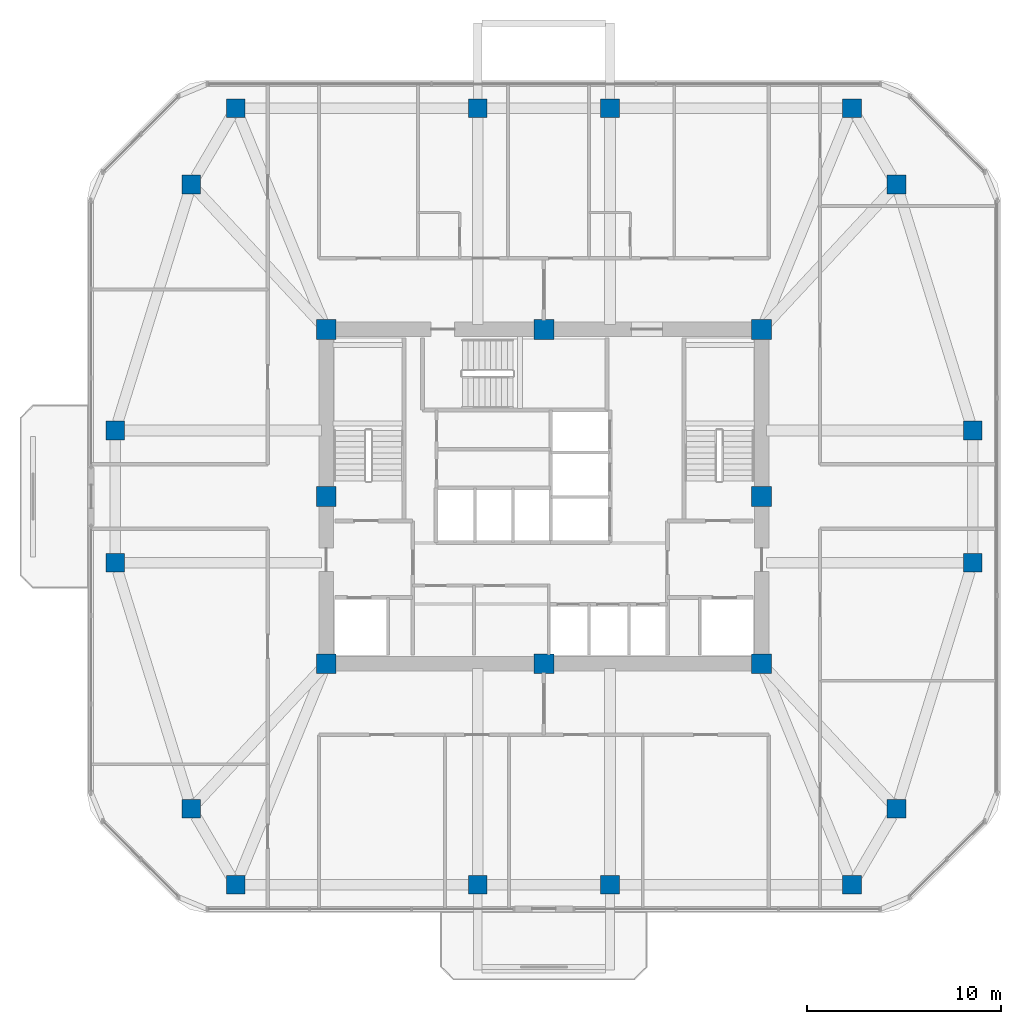
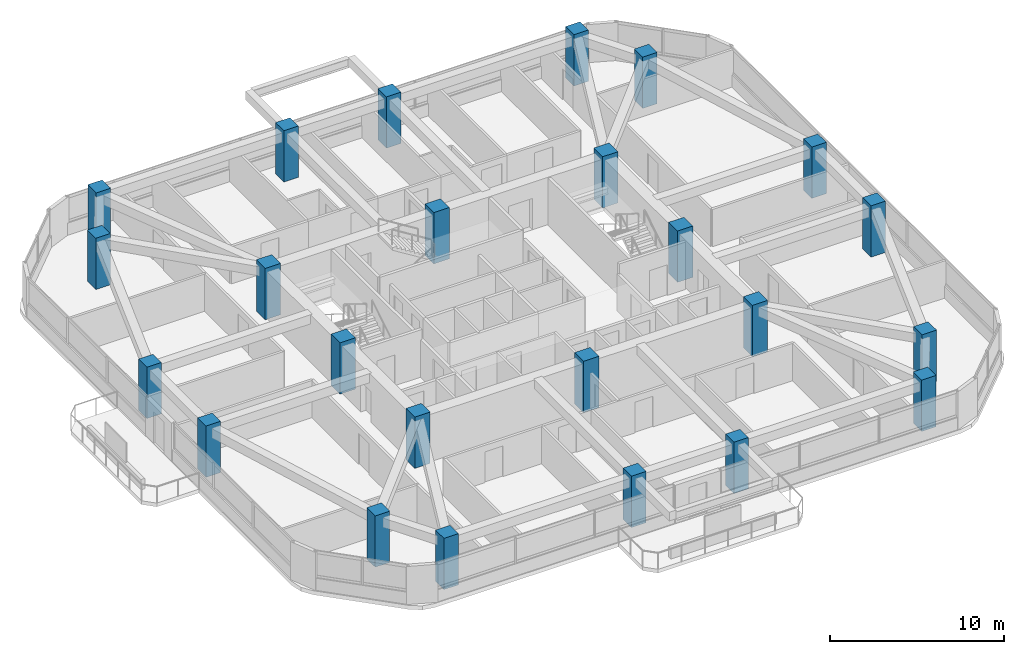
# One storey, part 1 of 12: 24 columns.
"""IFC4 building model written with IfcOpenShell, lengths in metres."""

import ifcopenshell
import ifcopenshell.guid

model = None  # the IFC model being written
_history = None  # IfcOwnerHistory: only IFC2X3 demands one
_inside = {}  # id of a spatial element -> (the spatial element, [elements in it])
_under = {}  # id of a project, library or spatial element -> (it, [spatial elements below it])
_declared = {}  # id of a project -> (the project, [libraries it declares])
_typed = {}  # id of a type object -> (the type object, [elements of that type])
_made_of = {}  # id of a material, layer set ... -> (it, [elements and type objects made of it])


def new_model(schema):
    """Start an empty IFC model of exactly this schema.

    Asked for "IFC4X3", IfcOpenShell would pick the latest addendum, in which some entities
    have other attributes; the version numbers below select the first issue.
    IFC2X3 requires an IfcOwnerHistory on every rooted entity: one is made here for all.
    """
    global model, _history
    if schema == "IFC4X3":
        model = ifcopenshell.file(schema_version=(4, 3, 0, 0))
    else:
        model = ifcopenshell.file(schema=schema)
    _inside.clear()
    _under.clear()
    _declared.clear()
    _typed.clear()
    _made_of.clear()
    _history = None
    if model.schema == "IFC2X3":
        org = make("IfcOrganization", Name="unknown")
        user = make(
            "IfcPersonAndOrganization",
            ThePerson=make("IfcPerson", FamilyName="unknown"),
            TheOrganization=org,
        )
        app = make(
            "IfcApplication",
            ApplicationDeveloper=org,
            Version="unknown",
            ApplicationFullName="unknown",
            ApplicationIdentifier="unknown",
        )
        _history = make(
            "IfcOwnerHistory",
            OwningUser=user,
            OwningApplication=app,
            ChangeAction="ADDED",
            CreationDate=0,
        )
    return model


def make(cls, **values):
    """One entity of the class cls with the attributes given. An attribute that is None is left unset."""
    return model.create_entity(
        cls, **{name: value for name, value in values.items() if value is not None}
    )


def rooted(cls, **values):
    """An entity with a GlobalId (a new one), such as an element, a storey or a relation."""
    return make(cls, GlobalId=ifcopenshell.guid.new(), OwnerHistory=_history, **values)


def si_unit(unit_type, name, prefix=None):
    """IfcSIUnit, for example si_unit("LENGTHUNIT", "METRE", prefix="MILLI")."""
    return make("IfcSIUnit", UnitType=unit_type, Prefix=prefix, Name=name)


def derived_unit(unit_type, elements):
    """IfcDerivedUnit: a product of units, each with its exponent."""
    return make(
        "IfcDerivedUnit",
        Elements=[
            make("IfcDerivedUnitElement", Unit=unit, Exponent=power)
            for unit, power in elements
        ],
        UnitType=unit_type,
    )


def assignment(units):
    """IfcUnitAssignment: the units of a project."""
    return None if units is None else make("IfcUnitAssignment", Units=units)


def point(xyz):
    """IfcCartesianPoint."""
    return None if xyz is None else make("IfcCartesianPoint", Coordinates=xyz)


def direction(xyz):
    """IfcDirection."""
    return None if xyz is None else make("IfcDirection", DirectionRatios=xyz)


def frame(location, z_axis=None, x_axis=None):
    """IfcAxis2Placement3D, a coordinate frame: its origin and axes. An axis left out is left unset."""
    return make(
        "IfcAxis2Placement3D",
        Location=point(location),
        Axis=direction(z_axis),
        RefDirection=direction(x_axis),
    )


def frame_2d(location, x_axis=None):
    """IfcAxis2Placement2D, a coordinate frame in the plane: its origin and x axis."""
    return make(
        "IfcAxis2Placement2D", Location=point(location), RefDirection=direction(x_axis)
    )


def origin():
    """The frame at (0, 0, 0) with its axes left unset."""
    return frame((0.0, 0.0, 0.0))


def origin_2d():
    """The frame at (0, 0) in the plane with its x axis left unset."""
    return frame_2d((0.0, 0.0))


def place(relative_to, where):
    """IfcLocalPlacement: puts the frame where relative to a parent placement (None: the world)."""
    return make(
        "IfcLocalPlacement", PlacementRelTo=relative_to, RelativePlacement=where
    )


def context(
    kind, dimensions, precision=None, world=None, true_north=None, identifier=None
):
    """IfcGeometricRepresentationContext, for example the 3D "Model" context."""
    return make(
        "IfcGeometricRepresentationContext",
        ContextIdentifier=identifier,
        ContextType=kind,
        CoordinateSpaceDimension=dimensions,
        Precision=precision,
        WorldCoordinateSystem=world,
        TrueNorth=true_north,
    )


def subcontext(parent, identifier, kind, view, scale=None):
    """IfcGeometricRepresentationSubContext, for example "Body" below "Model"."""
    return make(
        "IfcGeometricRepresentationSubContext",
        ContextIdentifier=identifier,
        ContextType=kind,
        ParentContext=parent,
        TargetScale=scale,
        TargetView=view,
    )


def project(units=None, contexts=None):
    """IfcProject with its units and contexts."""
    return rooted(
        "IfcProject",
        Name="project",
        RepresentationContexts=contexts,
        UnitsInContext=assignment(units),
    )


def spatial(cls, under=None, at=None, **own):
    """A site, building, storey or space (cls), placed at a placement, below another one or the project."""
    s = rooted(cls, ObjectPlacement=at, **own)
    if under is not None:
        _under.setdefault(under.id(), (under, []))[1].append(s)
    return s


def profile(cls, at=None, kind="AREA", **sizes):
    """A parametric profile (cls). Its sizes go by their IFC names, for example OverallWidth=200.0."""
    return make(cls, ProfileType=kind, Position=at, **sizes)


def rectangle(**sizes):
    """IfcRectangleProfileDef."""
    return profile("IfcRectangleProfileDef", **sizes)


def extrude(swept, where, along, depth):
    """IfcExtrudedAreaSolid: the profile swept, set in the frame where, extruded along a direction by depth."""
    return make(
        "IfcExtrudedAreaSolid",
        SweptArea=swept,
        Position=where,
        ExtrudedDirection=direction(along),
        Depth=depth,
    )


def shape(context_of_items, identifier, shape_type, items):
    """IfcShapeRepresentation: the items that make up one representation, for example the "Body"."""
    return make(
        "IfcShapeRepresentation",
        ContextOfItems=context_of_items,
        RepresentationIdentifier=identifier,
        RepresentationType=shape_type,
        Items=items,
    )


def material(Name=None, Category=None):
    """IfcMaterial."""
    return make("IfcMaterial", Name=Name, Category=Category)


def material_profile(
    of_material, cross_section, Name=None, Category=None, Priority=None
):
    """IfcMaterialProfile: a cross section and its material."""
    return make(
        "IfcMaterialProfile",
        Name=Name,
        Material=of_material,
        Profile=cross_section,
        Priority=Priority,
        Category=Category,
    )


def profile_set(profiles, Name=None, composite=None):
    """IfcMaterialProfileSet."""
    return make(
        "IfcMaterialProfileSet",
        Name=Name,
        MaterialProfiles=profiles,
        CompositeProfile=composite,
    )


def made_of(thing, what):
    """Note that an element or type object is made of a material, layer set ...; save() writes the relation."""
    if what is not None:
        _made_of.setdefault(what.id(), (what, []))[1].append(thing)
    return thing


def type_object(cls, material=None, **own):
    """A type object (cls), such as IfcWallType, which elements share."""
    return made_of(rooted(cls, **own), material)


def element(
    cls,
    number,
    at=None,
    inside=None,
    cuts=None,
    type_object=None,
    material=None,
    context=None,
    identifier="Body",
    shape_type=None,
    held_by="IfcProductDefinitionShape",
    body=None,
    shapes=None,
    **own,
):
    """One element of the class cls, such as IfcWall. Its Tag is "e" and its number.

    at: its placement. inside: the storey or other place that contains it. cuts: it is an
    opening in that element (IfcRelVoidsElement). A single representation is given by context,
    identifier, shape_type and body (its items); several are given by shapes. held_by: the class
    of the entity that holds the representations. save() writes the other relations.
    """
    e = rooted(cls, Tag="e%d" % number, ObjectPlacement=at, **own)
    if body is not None:
        shapes = [shape(context, identifier, shape_type, body)]
    if shapes is not None:
        e.Representation = make(held_by, Representations=shapes)
    if inside is not None:
        _inside.setdefault(inside.id(), (inside, []))[1].append(e)
    if cuts is not None:
        rooted(
            "IfcRelVoidsElement", RelatingBuildingElement=cuts, RelatedOpeningElement=e
        )
    if type_object is not None:
        _typed.setdefault(type_object.id(), (type_object, []))[1].append(e)
    return made_of(e, material)


def aggregate(whole, parts):
    """IfcRelAggregates: a whole, such as a stair, and the parts it consists of."""
    return rooted("IfcRelAggregates", RelatingObject=whole, RelatedObjects=parts)


def save(model, path):
    """Write the relations noted so far, then the file.

    IfcRelAggregates (storeys below a building ...), IfcRelContainedInSpatialStructure (elements
    in a storey), IfcRelDefinesByType, IfcRelAssociatesMaterial and IfcRelDeclares: one each for
    every whole, place, type object, material and project.
    """
    for whole, parts in _under.values():
        aggregate(whole, parts)
    for where, things in _inside.values():
        rooted(
            "IfcRelContainedInSpatialStructure",
            RelatedElements=things,
            RelatingStructure=where,
        )
    for kind, things in _typed.values():
        rooted("IfcRelDefinesByType", RelatedObjects=things, RelatingType=kind)
    for what, things in _made_of.values():
        rooted("IfcRelAssociatesMaterial", RelatedObjects=things, RelatingMaterial=what)
    for by, libraries in _declared.values():
        rooted("IfcRelDeclares", RelatingContext=by, RelatedDefinitions=libraries)
    model.write(path)


model = new_model("IFC4")

# Units and contexts
model_context = context("Model", 3, precision=1e-05, world=origin(), true_north=direction((0.0, 1.0)))
body_context = subcontext(model_context, "Body", "Model", "MODEL_VIEW")
ifc_project = project(units=[si_unit("LENGTHUNIT", "METRE"), si_unit("AREAUNIT", "SQUARE_METRE"), si_unit("VOLUMEUNIT", "CUBIC_METRE"), si_unit("PLANEANGLEUNIT", "RADIAN"), si_unit("MASSUNIT", "GRAM", prefix="KILO"), derived_unit("THERMALTRANSMITTANCEUNIT", [(si_unit("POWERUNIT", "WATT"), 1), (si_unit("LENGTHUNIT", "METRE"), -2), (si_unit("THERMODYNAMICTEMPERATUREUNIT", "KELVIN"), -1)])], contexts=[model_context])

# Site, building, storey
site_placement = place(None, origin())
site = spatial("IfcSite", under=ifc_project, at=site_placement, CompositionType="ELEMENT")
building_placement = place(site_placement, origin())
building = spatial("IfcBuilding", under=site, at=building_placement, Name="Koralith Skygarden Medical Center", CompositionType="ELEMENT")
storey_placement = place(building_placement, frame((0.0, 0.0, 134.820068359375)))
storey = spatial("IfcBuildingStorey", under=building, at=storey_placement, Name="L34", CompositionType="ELEMENT", Elevation=134.820068359375)

# Columns
ifc_material_1 = material(Name="Concrete C70/85", Category="concrete")
ifc_material_profile_1 = material_profile(ifc_material_1, rectangle(XDim=1.02001953125, YDim=1.02001953125, at=origin_2d()), Name="RC1020X1020")
ifc_profile_set_1 = profile_set([ifc_material_profile_1], Name="Concrete C70/85")
column_type_1 = type_object("IfcColumnType", Name="Core Mega-Column C70 RC1020", PredefinedType="COLUMN", material=ifc_profile_set_1)
for number, where, z_axis, x_axis, name in (
    (1, (25.800048828125, 17.300048828125, 0.0), (0.0, 0.0, 1.0), (1.0, 0.0, 0.0), "L34 Core Column CC-01"),
    (2, (37.0, 17.300048828125, 0.0), (0.0, 0.0, 1.0), (1.0, 0.0, 0.0), "L34 Core Column CC-02"),
    (3, (48.199951171875, 17.300048828125, 0.0), (0.0, 0.0, 1.0), (1.0, 0.0, 0.0), "L34 Core Column CC-03"),
    (4, (48.199951171875, 25.89990234375, 0.0), (0.0, 0.0, 1.0), (1.0, 0.0, 0.0), "L34 Core Column CC-04"),
    (5, (48.199951171875, 34.5, 0.0), (0.0, 0.0, 1.0), (1.0, 0.0, 0.0), "L34 Core Column CC-05"),
    (6, (37.0, 34.5, 0.0), (0.0, 0.0, 1.0), (1.0, 0.0, 0.0), "L34 Core Column CC-06"),
    (7, (25.800048828125, 34.5, 0.0), (0.0, 0.0, 1.0), (1.0, 0.0, 0.0), "L34 Core Column CC-07"),
    (8, (25.800048828125, 25.89990234375, 0.0), (0.0, 0.0, 1.0), (1.0, 0.0, 0.0), "L34 Core Column CC-08"),
):
    element("IfcColumn", number, at=place(storey_placement, frame(where, z_axis=z_axis, x_axis=x_axis)), inside=storey, type_object=column_type_1, Name=name, PredefinedType="COLUMN", context=body_context, shape_type="SweptSolid", body=[
        extrude(rectangle(XDim=1.02001953125, YDim=1.02001953125, at=origin_2d()), origin(), (0.0, 0.0, 1.0), 3.599853515625),
    ])
ifc_material_2 = material(Name="Concrete C55/67", Category="concrete")
ifc_material_profile_2 = material_profile(ifc_material_2, rectangle(XDim=0.9599609375, YDim=0.9599609375, at=origin_2d()), Name="RC960X960")
ifc_profile_set_2 = profile_set([ifc_material_profile_2], Name="Concrete C55/67")
column_type_2 = type_object("IfcColumnType", Name="Zone 3 Waist Mega-Column C55 RC960", PredefinedType="COLUMN", material=ifc_profile_set_2)
for number, where, z_axis, x_axis, name in (
    (9, (14.93603515625, 22.5, 0.0), (0.0, 0.0, 1.0), (1.0, 0.0, 0.0), "L34 Perimeter Mega-Column MC-01"),
    (10, (18.85595703125, 9.840087890625, 0.0), (0.0, 0.0, 1.0), (1.0, 0.0, 0.0), "L34 Perimeter Mega-Column MC-02"),
    (11, (21.14794921875, 5.919921875, 0.0), (0.0, 0.0, 1.0), (1.0, 0.0, 0.0), "L34 Perimeter Mega-Column MC-03"),
    (12, (33.60009765625, 5.919921875, 0.0), (0.0, 0.0, 1.0), (1.0, 0.0, 0.0), "L34 Perimeter Mega-Column MC-04"),
    (13, (40.39990234375, 5.919921875, 0.0), (0.0, 0.0, 1.0), (1.0, 0.0, 0.0), "L34 Perimeter Mega-Column MC-05"),
    (14, (52.85205078125, 5.919921875, 0.0), (0.0, 0.0, 1.0), (1.0, 0.0, 0.0), "L34 Perimeter Mega-Column MC-06"),
    (15, (55.14404296875, 9.840087890625, 0.0), (0.0, 0.0, 1.0), (1.0, 0.0, 0.0), "L34 Perimeter Mega-Column MC-07"),
    (16, (59.06396484375, 22.5, 0.0), (0.0, 0.0, 1.0), (1.0, 0.0, 0.0), "L34 Perimeter Mega-Column MC-08"),
    (17, (59.06396484375, 29.300048828125, 0.0), (0.0, 0.0, 1.0), (1.0, 0.0, 0.0), "L34 Perimeter Mega-Column MC-09"),
    (18, (55.14404296875, 41.9599609375, 0.0), (0.0, 0.0, 1.0), (1.0, 0.0, 0.0), "L34 Perimeter Mega-Column MC-10"),
    (19, (52.85205078125, 45.8798828125, 0.0), (0.0, 0.0, 1.0), (1.0, 0.0, 0.0), "L34 Perimeter Mega-Column MC-11"),
    (20, (40.39990234375, 45.8798828125, 0.0), (0.0, 0.0, 1.0), (1.0, 0.0, 0.0), "L34 Perimeter Mega-Column MC-12"),
    (21, (33.60009765625, 45.8798828125, 0.0), (0.0, 0.0, 1.0), (1.0, 0.0, 0.0), "L34 Perimeter Mega-Column MC-13"),
    (22, (21.14794921875, 45.8798828125, 0.0), (0.0, 0.0, 1.0), (1.0, 0.0, 0.0), "L34 Perimeter Mega-Column MC-14"),
    (23, (18.85595703125, 41.9599609375, 0.0), (0.0, 0.0, 1.0), (1.0, 0.0, 0.0), "L34 Perimeter Mega-Column MC-15"),
    (24, (14.93603515625, 29.300048828125, 0.0), (0.0, 0.0, 1.0), (1.0, 0.0, 0.0), "L34 Perimeter Mega-Column MC-16"),
):
    element("IfcColumn", number, at=place(storey_placement, frame(where, z_axis=z_axis, x_axis=x_axis)), inside=storey, type_object=column_type_2, Name=name, PredefinedType="COLUMN", context=body_context, shape_type="SweptSolid", body=[
        extrude(rectangle(XDim=0.9599609375, YDim=0.9599609375, at=origin_2d()), origin(), (0.0, 0.0, 1.0), 3.599853515625),
    ])

save(model, "model.ifc")
